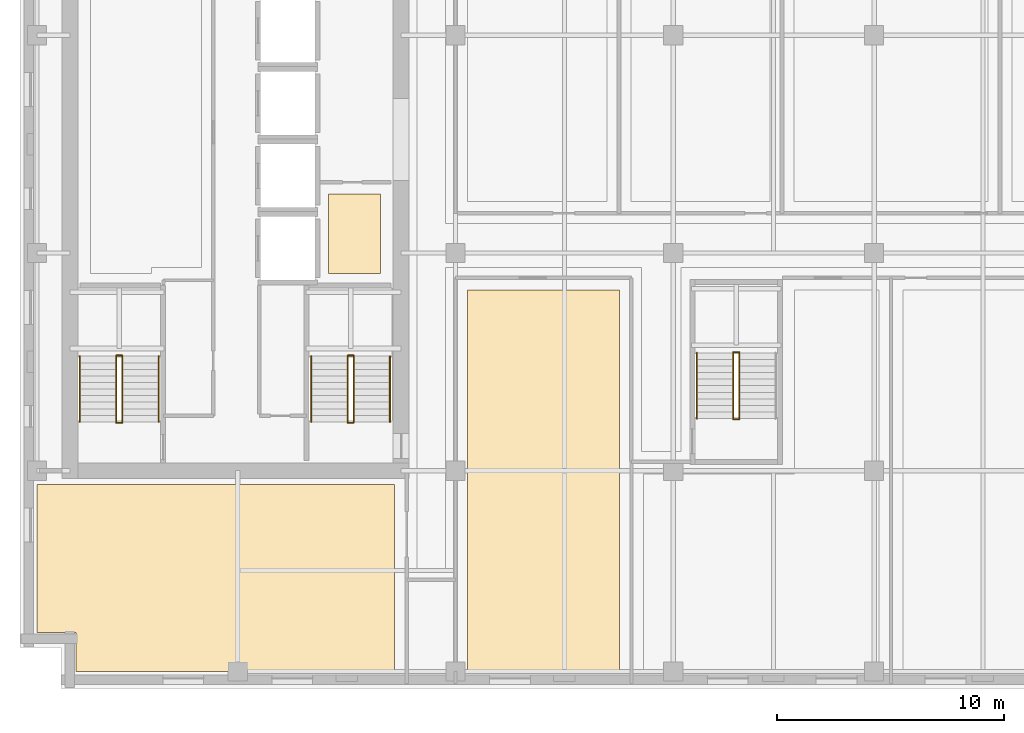
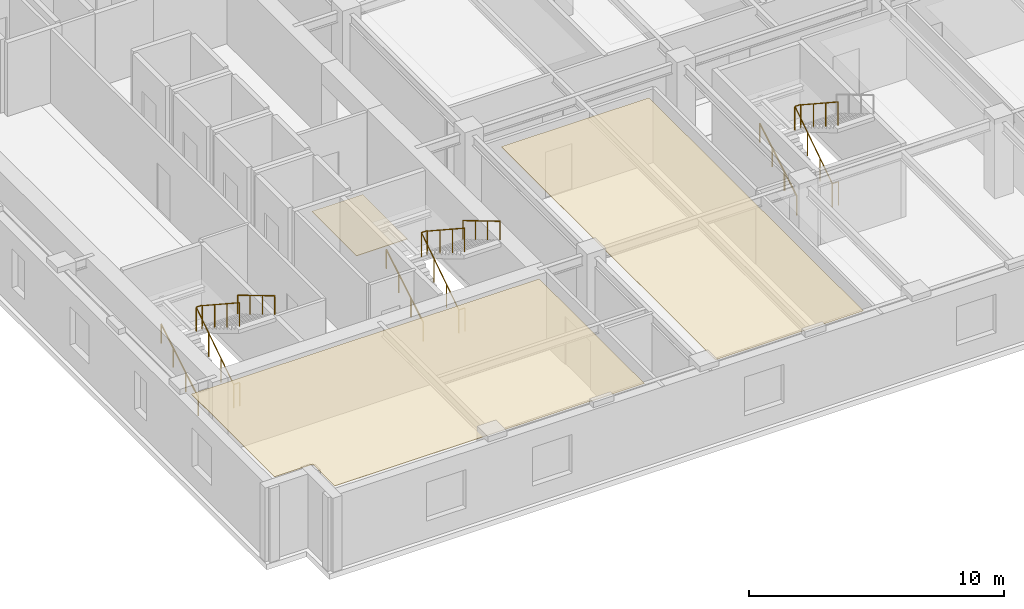
# One storey, part 8 of 11: 17 railings, 3 coverings.
"""IFC4 building model written with IfcOpenShell, lengths in metres."""

from ifc_helpers import new_model, si_unit, direction, frame, origin, origin_2d, place, context, subcontext, project, spatial, polyline, circle, outline, extrude, material, layer, layer_set, type_object, element, save


model = new_model("IFC4")

# Units and contexts
model_context = context("Model", 3, precision=1e-05, world=origin(), true_north=direction((0.0, 1.0)))
body_context = subcontext(model_context, "Body", "Model", "MODEL_VIEW")
ifc_project = project(units=[si_unit("LENGTHUNIT", "METRE"), si_unit("AREAUNIT", "SQUARE_METRE"), si_unit("VOLUMEUNIT", "CUBIC_METRE"), si_unit("PLANEANGLEUNIT", "RADIAN"), si_unit("MASSUNIT", "GRAM", prefix="KILO")], contexts=[model_context])

# Site, building, storey
site_placement = place(None, origin())
site = spatial("IfcSite", under=ifc_project, at=site_placement, CompositionType="ELEMENT")
building_placement = place(site_placement, origin())
building = spatial("IfcBuilding", under=site, at=building_placement, Name="Norrvale University Quadrangle", CompositionType="ELEMENT")
storey_placement = place(building_placement, frame((0.0, 0.0, 206.60009765625)))
storey = spatial("IfcBuildingStorey", under=building, at=storey_placement, Name="L52", CompositionType="ELEMENT", Elevation=206.60009765625)

# Coverings
ifc_material_1 = material(Name="Perforated Acoustic Mineral Ceiling")
ifc_layer_1 = layer(ifc_material_1, 0.02490234375, Name="Perforated Acoustic Mineral Ceiling")
ifc_layer_set_1 = layer_set([ifc_layer_1], Name="Perforated Acoustic Mineral Ceiling")
covering_type_1 = type_object("IfcCoveringType", Name="Covering Acoustic Ceiling 25", PredefinedType="CEILING", material=ifc_layer_set_1)
covering_1_placement = place(storey_placement, frame((0.0, 0.0, 3.514892578125)))
element("IfcCovering", 1, at=covering_1_placement, inside=storey, type_object=covering_type_1, Name="Acoustic Ceiling RM-L52-SW1", PredefinedType="CEILING", context=body_context, shape_type="SweptSolid", body=[
    extrude(outline(polyline([(0.75, 9.0), (16.5, 9.0), (16.5, 0.75), (2.469970703125, 0.75), (2.469970703125, 2.469970703125), (0.75, 2.469970703125), (0.75, 9.0)])), origin(), (0.0, 0.0, 1.0), 0.02490234375),
])
covering_2_placement = place(storey_placement, frame((0.0, 0.0, 3.514892578125)))
element("IfcCovering", 2, at=covering_2_placement, inside=storey, type_object=covering_type_1, Name="Acoustic Ceiling RM-L52-SE1", PredefinedType="CEILING", context=body_context, shape_type="SweptSolid", body=[
    extrude(outline(polyline([(19.72998046875, 17.570068359375), (26.419921875, 17.570068359375), (26.419921875, 0.75), (19.72998046875, 0.75), (19.72998046875, 17.570068359375)])), origin(), (0.0, 0.0, 1.0), 0.02490234375),
])
ifc_material_2 = material(Name="Polished Terrazzo Flooring")
ifc_layer_2 = layer(ifc_material_2, 0.02490234375, Name="Polished Terrazzo Flooring")
ifc_layer_set_2 = layer_set([ifc_layer_2], Name="Polished Terrazzo Flooring")
covering_type_2 = type_object("IfcCoveringType", Name="Covering Terrazzo Floor 30", PredefinedType="FLOORING", material=ifc_layer_set_2)
covering_3_placement = place(storey_placement, origin())
element("IfcCovering", 3, at=covering_3_placement, inside=storey, type_object=covering_type_2, Name="Terrazzo Flooring RM-L52-JAN", PredefinedType="FLOORING", context=body_context, shape_type="SweptSolid", body=[
    extrude(outline(polyline([(13.60009765625, 18.300048828125), (13.60009765625, 21.800048828125), (15.89990234375, 21.800048828125), (15.89990234375, 18.300048828125), (13.60009765625, 18.300048828125)])), origin(), (0.0, 0.0, 1.0), 0.02490234375),
])

# Railings
ifc_material_3 = material(Name="Steel 350W Painted Balustrade", Category="steel")
railing_type_1 = type_object("IfcRailingType", Name="Railing Stair Guard 1100", PredefinedType="GUARDRAIL", material=ifc_material_3)
for number, where, name in (
    (4, (4.239990234375, 11.719970703125, 0.0), "Stair Floor Well Guard ST-01 L52"),
    (5, (4.239990234375, 14.679931640625, 1.89990234375), "Stair Mid-Landing Slot Guard ST-01 L52"),
):
    element("IfcRailing", number, at=place(storey_placement, frame(where)), inside=storey, type_object=railing_type_1, Name=name, PredefinedType="GUARDRAIL", context=body_context, shape_type="SweptSolid", body=[
        extrude(circle(Radius=0.02392578125, at=origin_2d()), frame((0.0, 0.0, 1.1259765625), z_axis=(1.0, 0.0, 0.0), x_axis=(0.0, 1.0, 0.0)), (0.0, 0.0, 1.0), 0.27001953125),
        extrude(circle(Radius=0.02099609375, at=origin_2d()), origin(), (0.0, 0.0, 1.0), 1.101806640625),
        extrude(circle(Radius=0.02099609375, at=origin_2d()), frame((0.27001953125, 0.0, 0.0)), (0.0, 0.0, 1.0), 1.101806640625),
    ])
railing_1_placement = place(storey_placement, frame((4.239990234375, 11.75, 0.0)))
element("IfcRailing", 6, at=railing_1_placement, inside=storey, type_object=railing_type_1, Name="Stair Lower Flight Inner Guard ST-01 L52", PredefinedType="GUARDRAIL", context=body_context, shape_type="SweptSolid", body=[
    extrude(circle(Radius=0.02392578125, at=origin_2d()), frame((0.0, 0.0, 1.1259765625), z_axis=(0.0, 0.836465582154, 0.548019461216), x_axis=(-1.0, 0.0, 0.0)), (0.0, 0.0, 1.0), 3.466796875),
    extrude(circle(Radius=0.02099609375, at=origin_2d()), origin(), (0.0, 0.0, 1.0), 1.101806640625),
    extrude(circle(Radius=0.02099609375, at=origin_2d()), frame((0.0, 0.966552734375, 0.63330078125)), (0.0, 0.0, 1.0), 1.101806640625),
    extrude(circle(Radius=0.02099609375, at=origin_2d()), frame((0.0, 1.933349609375, 1.2666015625)), (0.0, 0.0, 1.0), 1.101806640625),
    extrude(circle(Radius=0.02099609375, at=origin_2d()), frame((0.0, 2.89990234375, 1.89990234375)), (0.0, 0.0, 1.0), 1.101806640625),
])
railing_2_placement = place(storey_placement, frame((4.510009765625, 14.64990234375, 1.89990234375)))
element("IfcRailing", 7, at=railing_2_placement, inside=storey, type_object=railing_type_1, Name="Stair Upper Flight Inner Guard ST-01 L52", PredefinedType="GUARDRAIL", context=body_context, shape_type="SweptSolid", body=[
    extrude(circle(Radius=0.02392578125, at=origin_2d()), frame((0.0, 0.0, 1.1259765625), z_axis=(0.0, -0.836465582154, 0.548019461216), x_axis=(1.0, 0.0, 0.0)), (0.0, 0.0, 1.0), 3.466796875),
    extrude(circle(Radius=0.02099609375, at=origin_2d()), origin(), (0.0, 0.0, 1.0), 1.101806640625),
    extrude(circle(Radius=0.02099609375, at=origin_2d()), frame((0.0, -0.966552734375, 0.63330078125)), (0.0, 0.0, 1.0), 1.101806640625),
    extrude(circle(Radius=0.02099609375, at=origin_2d()), frame((0.0, -1.933349609375, 1.2666015625)), (0.0, 0.0, 1.0), 1.101806640625),
    extrude(circle(Radius=0.02099609375, at=origin_2d()), frame((0.0, -2.89990234375, 1.89990234375)), (0.0, 0.0, 1.0), 1.101806640625),
])
for number, where, name in (
    (8, (14.43994140625, 11.719970703125, 0.0), "Stair Floor Well Guard ST-03 L52"),
    (9, (14.43994140625, 14.679931640625, 1.89990234375), "Stair Mid-Landing Slot Guard ST-03 L52"),
):
    element("IfcRailing", number, at=place(storey_placement, frame(where)), inside=storey, type_object=railing_type_1, Name=name, PredefinedType="GUARDRAIL", context=body_context, shape_type="SweptSolid", body=[
        extrude(circle(Radius=0.02392578125, at=origin_2d()), frame((0.0, 0.0, 1.1259765625), z_axis=(1.0, 0.0, 0.0), x_axis=(0.0, 1.0, 0.0)), (0.0, 0.0, 1.0), 0.27001953125),
        extrude(circle(Radius=0.02099609375, at=origin_2d()), origin(), (0.0, 0.0, 1.0), 1.101806640625),
        extrude(circle(Radius=0.02099609375, at=origin_2d()), frame((0.27001953125, 0.0, 0.0)), (0.0, 0.0, 1.0), 1.101806640625),
    ])
railing_3_placement = place(storey_placement, frame((14.43994140625, 11.75, 0.0)))
element("IfcRailing", 10, at=railing_3_placement, inside=storey, type_object=railing_type_1, Name="Stair Lower Flight Inner Guard ST-03 L52", PredefinedType="GUARDRAIL", context=body_context, shape_type="SweptSolid", body=[
    extrude(circle(Radius=0.02392578125, at=origin_2d()), frame((0.0, 0.0, 1.1259765625), z_axis=(0.0, 0.836465582154, 0.548019461216), x_axis=(-1.0, 0.0, 0.0)), (0.0, 0.0, 1.0), 3.466796875),
    extrude(circle(Radius=0.02099609375, at=origin_2d()), origin(), (0.0, 0.0, 1.0), 1.101806640625),
    extrude(circle(Radius=0.02099609375, at=origin_2d()), frame((0.0, 0.966552734375, 0.63330078125)), (0.0, 0.0, 1.0), 1.101806640625),
    extrude(circle(Radius=0.02099609375, at=origin_2d()), frame((0.0, 1.933349609375, 1.2666015625)), (0.0, 0.0, 1.0), 1.101806640625),
    extrude(circle(Radius=0.02099609375, at=origin_2d()), frame((0.0, 2.89990234375, 1.89990234375)), (0.0, 0.0, 1.0), 1.101806640625),
])
railing_4_placement = place(storey_placement, frame((14.7099609375, 14.64990234375, 1.89990234375)))
element("IfcRailing", 11, at=railing_4_placement, inside=storey, type_object=railing_type_1, Name="Stair Upper Flight Inner Guard ST-03 L52", PredefinedType="GUARDRAIL", context=body_context, shape_type="SweptSolid", body=[
    extrude(circle(Radius=0.02392578125, at=origin_2d()), frame((0.0, 0.0, 1.1259765625), z_axis=(0.0, -0.836465582154, 0.548019461216), x_axis=(1.0, 0.0, 0.0)), (0.0, 0.0, 1.0), 3.466796875),
    extrude(circle(Radius=0.02099609375, at=origin_2d()), origin(), (0.0, 0.0, 1.0), 1.101806640625),
    extrude(circle(Radius=0.02099609375, at=origin_2d()), frame((0.0, -0.966552734375, 0.63330078125)), (0.0, 0.0, 1.0), 1.101806640625),
    extrude(circle(Radius=0.02099609375, at=origin_2d()), frame((0.0, -1.933349609375, 1.2666015625)), (0.0, 0.0, 1.0), 1.101806640625),
    extrude(circle(Radius=0.02099609375, at=origin_2d()), frame((0.0, -2.89990234375, 1.89990234375)), (0.0, 0.0, 1.0), 1.101806640625),
])
for number, where, name in (
    (12, (31.43994140625, 11.8701171875, 0.0), "Stair Floor Well Guard ST-04 L52"),
    (13, (31.43994140625, 14.830078125, 1.89990234375), "Stair Mid-Landing Slot Guard ST-04 L52"),
):
    element("IfcRailing", number, at=place(storey_placement, frame(where)), inside=storey, type_object=railing_type_1, Name=name, PredefinedType="GUARDRAIL", context=body_context, shape_type="SweptSolid", body=[
        extrude(circle(Radius=0.02392578125, at=origin_2d()), frame((0.0, 0.0, 1.1259765625), z_axis=(1.0, 0.0, 0.0), x_axis=(0.0, 1.0, 0.0)), (0.0, 0.0, 1.0), 0.27001953125),
        extrude(circle(Radius=0.02099609375, at=origin_2d()), origin(), (0.0, 0.0, 1.0), 1.101806640625),
        extrude(circle(Radius=0.02099609375, at=origin_2d()), frame((0.27001953125, 0.0, 0.0)), (0.0, 0.0, 1.0), 1.101806640625),
    ])
railing_5_placement = place(storey_placement, frame((31.43994140625, 11.89990234375, 0.0)))
element("IfcRailing", 14, at=railing_5_placement, inside=storey, type_object=railing_type_1, Name="Stair Lower Flight Inner Guard ST-04 L52", PredefinedType="GUARDRAIL", context=body_context, shape_type="SweptSolid", body=[
    extrude(circle(Radius=0.02392578125, at=origin_2d()), frame((0.0, 0.0, 1.1259765625), z_axis=(0.0, 0.836486729621, 0.547987181573), x_axis=(-1.0, 0.0, 0.0)), (0.0, 0.0, 1.0), 3.467041015625),
    extrude(circle(Radius=0.02099609375, at=origin_2d()), origin(), (0.0, 0.0, 1.0), 1.101806640625),
    extrude(circle(Radius=0.02099609375, at=origin_2d()), frame((0.0, 0.966796875, 0.63330078125)), (0.0, 0.0, 1.0), 1.101806640625),
    extrude(circle(Radius=0.02099609375, at=origin_2d()), frame((0.0, 1.933349609375, 1.2666015625)), (0.0, 0.0, 1.0), 1.101806640625),
    extrude(circle(Radius=0.02099609375, at=origin_2d()), frame((0.0, 2.900146484375, 1.89990234375)), (0.0, 0.0, 1.0), 1.101806640625),
])
railing_6_placement = place(storey_placement, frame((31.7099609375, 14.800048828125, 1.89990234375)))
element("IfcRailing", 15, at=railing_6_placement, inside=storey, type_object=railing_type_1, Name="Stair Upper Flight Inner Guard ST-04 L52", PredefinedType="GUARDRAIL", context=body_context, shape_type="SweptSolid", body=[
    extrude(circle(Radius=0.02392578125, at=origin_2d()), frame((0.0, 0.0, 1.1259765625), z_axis=(0.0, -0.836486729621, 0.547987181573), x_axis=(1.0, 0.0, 0.0)), (0.0, 0.0, 1.0), 3.467041015625),
    extrude(circle(Radius=0.02099609375, at=origin_2d()), origin(), (0.0, 0.0, 1.0), 1.101806640625),
    extrude(circle(Radius=0.02099609375, at=origin_2d()), frame((0.0, -0.966796875, 0.63330078125)), (0.0, 0.0, 1.0), 1.101806640625),
    extrude(circle(Radius=0.02099609375, at=origin_2d()), frame((0.0, -1.933349609375, 1.2666015625)), (0.0, 0.0, 1.0), 1.101806640625),
    extrude(circle(Radius=0.02099609375, at=origin_2d()), frame((0.0, -2.900146484375, 1.89990234375)), (0.0, 0.0, 1.0), 1.101806640625),
])
ifc_material_4 = material(Name="Stainless Steel 316L Handrail", Category="steel")
railing_type_2 = type_object("IfcRailingType", Name="Railing Stair Handrail 920", PredefinedType="HANDRAIL", material=ifc_material_4)
railing_7_placement = place(storey_placement, frame((2.639892578125, 11.75, 0.172607421875)))
element("IfcRailing", 16, at=railing_7_placement, inside=storey, type_object=railing_type_2, Name="Stair Lower Flight Handrail ST-01 L52", PredefinedType="HANDRAIL", context=body_context, shape_type="SweptSolid", body=[
    extrude(circle(Radius=0.02392578125, at=origin_2d()), frame((0.0, 0.0, 0.89599609375), z_axis=(0.0, 0.859141464434, 0.511738159696), x_axis=(-1.0, 0.0, 0.0)), (0.0, 0.0, 1.0), 3.375244140625),
    extrude(circle(Radius=0.02099609375, at=origin_2d()), origin(), (0.0, 0.0, 1.0), 0.871826171875),
    extrude(circle(Radius=0.02099609375, at=origin_2d()), frame((0.0, 0.966552734375, 0.57568359375)), (0.0, 0.0, 1.0), 0.871826171875),
    extrude(circle(Radius=0.02099609375, at=origin_2d()), frame((0.0, 1.933349609375, 1.151611328125)), (0.0, 0.0, 1.0), 0.871826171875),
    extrude(circle(Radius=0.02099609375, at=origin_2d()), frame((0.0, 2.89990234375, 1.727294921875)), (0.0, 0.0, 1.0), 0.871826171875),
])
railing_8_placement = place(storey_placement, frame((6.110107421875, 14.64990234375, 2.072509765625)))
element("IfcRailing", 17, at=railing_8_placement, inside=storey, type_object=railing_type_2, Name="Stair Upper Flight Handrail ST-01 L52", PredefinedType="HANDRAIL", context=body_context, shape_type="SweptSolid", body=[
    extrude(circle(Radius=0.02392578125, at=origin_2d()), frame((0.0, 0.0, 0.89599609375), z_axis=(0.0, -0.859141464434, 0.511738159696), x_axis=(1.0, 0.0, 0.0)), (0.0, 0.0, 1.0), 3.375244140625),
    extrude(circle(Radius=0.02099609375, at=origin_2d()), origin(), (0.0, 0.0, 1.0), 0.871826171875),
    extrude(circle(Radius=0.02099609375, at=origin_2d()), frame((0.0, -0.966552734375, 0.57568359375)), (0.0, 0.0, 1.0), 0.871826171875),
    extrude(circle(Radius=0.02099609375, at=origin_2d()), frame((0.0, -1.933349609375, 1.151611328125)), (0.0, 0.0, 1.0), 0.871826171875),
    extrude(circle(Radius=0.02099609375, at=origin_2d()), frame((0.0, -2.89990234375, 1.727294921875)), (0.0, 0.0, 1.0), 0.871826171875),
])
railing_9_placement = place(storey_placement, frame((12.840087890625, 11.75, 0.172607421875)))
element("IfcRailing", 18, at=railing_9_placement, inside=storey, type_object=railing_type_2, Name="Stair Lower Flight Handrail ST-03 L52", PredefinedType="HANDRAIL", context=body_context, shape_type="SweptSolid", body=[
    extrude(circle(Radius=0.02392578125, at=origin_2d()), frame((0.0, 0.0, 0.89599609375), z_axis=(0.0, 0.859141464434, 0.511738159696), x_axis=(-1.0, 0.0, 0.0)), (0.0, 0.0, 1.0), 3.375244140625),
    extrude(circle(Radius=0.02099609375, at=origin_2d()), origin(), (0.0, 0.0, 1.0), 0.871826171875),
    extrude(circle(Radius=0.02099609375, at=origin_2d()), frame((0.0, 0.966552734375, 0.57568359375)), (0.0, 0.0, 1.0), 0.871826171875),
    extrude(circle(Radius=0.02099609375, at=origin_2d()), frame((0.0, 1.933349609375, 1.151611328125)), (0.0, 0.0, 1.0), 0.871826171875),
    extrude(circle(Radius=0.02099609375, at=origin_2d()), frame((0.0, 2.89990234375, 1.727294921875)), (0.0, 0.0, 1.0), 0.871826171875),
])
railing_10_placement = place(storey_placement, frame((16.31005859375, 14.64990234375, 2.072509765625)))
element("IfcRailing", 19, at=railing_10_placement, inside=storey, type_object=railing_type_2, Name="Stair Upper Flight Handrail ST-03 L52", PredefinedType="HANDRAIL", context=body_context, shape_type="SweptSolid", body=[
    extrude(circle(Radius=0.02392578125, at=origin_2d()), frame((0.0, 0.0, 0.89599609375), z_axis=(0.0, -0.859141464434, 0.511738159696), x_axis=(1.0, 0.0, 0.0)), (0.0, 0.0, 1.0), 3.375244140625),
    extrude(circle(Radius=0.02099609375, at=origin_2d()), origin(), (0.0, 0.0, 1.0), 0.871826171875),
    extrude(circle(Radius=0.02099609375, at=origin_2d()), frame((0.0, -0.966552734375, 0.57568359375)), (0.0, 0.0, 1.0), 0.871826171875),
    extrude(circle(Radius=0.02099609375, at=origin_2d()), frame((0.0, -1.933349609375, 1.151611328125)), (0.0, 0.0, 1.0), 0.871826171875),
    extrude(circle(Radius=0.02099609375, at=origin_2d()), frame((0.0, -2.89990234375, 1.727294921875)), (0.0, 0.0, 1.0), 0.871826171875),
])
railing_11_placement = place(storey_placement, frame((29.840087890625, 11.89990234375, 0.172607421875)))
element("IfcRailing", 20, at=railing_11_placement, inside=storey, type_object=railing_type_2, Name="Stair Lower Flight Handrail ST-04 L52", PredefinedType="HANDRAIL", context=body_context, shape_type="SweptSolid", body=[
    extrude(circle(Radius=0.02392578125, at=origin_2d()), frame((0.0, 0.0, 0.89599609375), z_axis=(0.0, 0.859160404282, 0.51170636083), x_axis=(-1.0, 0.0, 0.0)), (0.0, 0.0, 1.0), 3.37548828125),
    extrude(circle(Radius=0.02099609375, at=origin_2d()), origin(), (0.0, 0.0, 1.0), 0.871826171875),
    extrude(circle(Radius=0.02099609375, at=origin_2d()), frame((0.0, 0.966796875, 0.57568359375)), (0.0, 0.0, 1.0), 0.871826171875),
    extrude(circle(Radius=0.02099609375, at=origin_2d()), frame((0.0, 1.933349609375, 1.151611328125)), (0.0, 0.0, 1.0), 0.871826171875),
    extrude(circle(Radius=0.02099609375, at=origin_2d()), frame((0.0, 2.900146484375, 1.727294921875)), (0.0, 0.0, 1.0), 0.871826171875),
])

save(model, "model.ifc")
